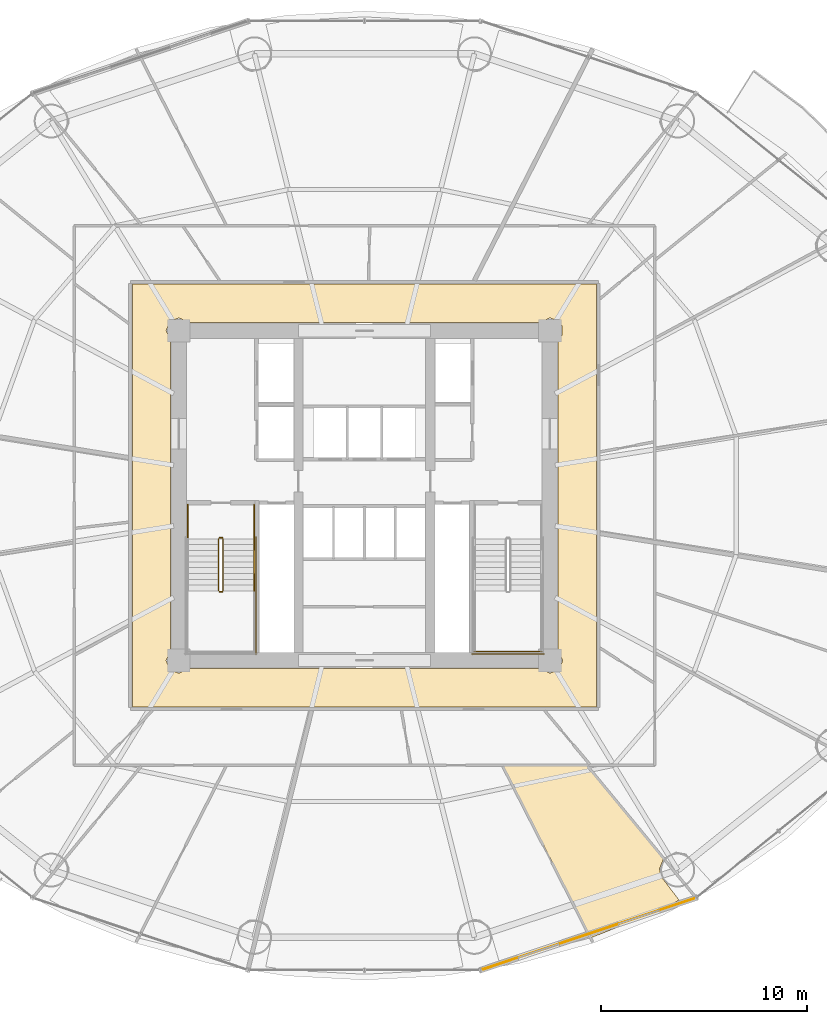
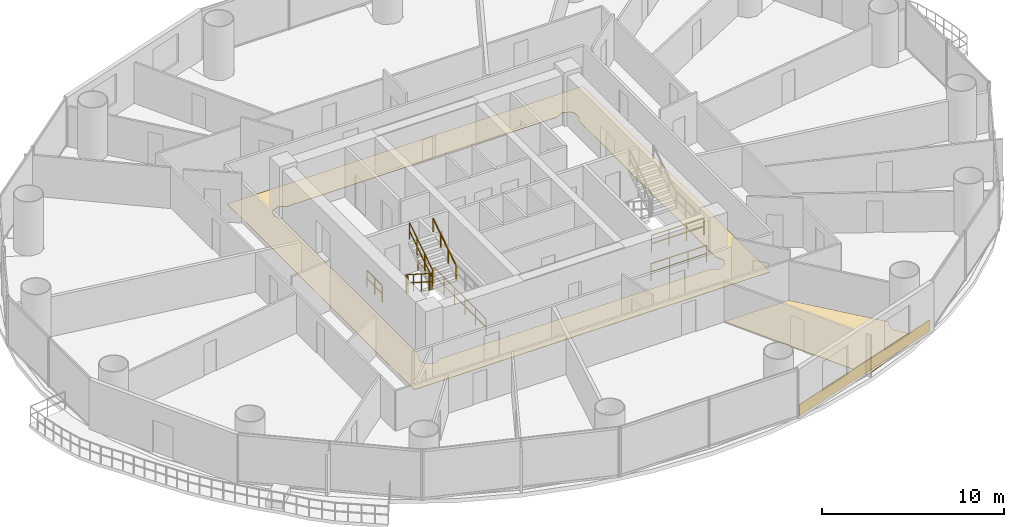
# One storey, part 28 of 30: 10 railings, 3 coverings.
"""IFC4 building model written with IfcOpenShell, lengths in metres."""

from ifc_helpers import new_model, si_unit, direction, frame, origin, origin_2d, place, context, subcontext, project, spatial, polyline, rectangle, outline, extrude, source, transform, mapped, material, layer, layer_set, type_object, element, save


model = new_model("IFC4")

# Units and contexts
model_context = context("Model", 3, precision=1e-05, world=origin(), true_north=direction((-0.2419218956, 0.970295726276)))
body_context = subcontext(model_context, "Body", "Model", "MODEL_VIEW")
ifc_project = project(units=[si_unit("LENGTHUNIT", "METRE"), si_unit("AREAUNIT", "SQUARE_METRE"), si_unit("VOLUMEUNIT", "CUBIC_METRE"), si_unit("PLANEANGLEUNIT", "RADIAN"), si_unit("MASSUNIT", "GRAM", prefix="KILO")], contexts=[model_context])

# Site, building, storey
site_placement = place(None, origin())
site = spatial("IfcSite", under=ifc_project, at=site_placement, CompositionType="ELEMENT")
building_placement = place(site_placement, origin())
building = spatial("IfcBuilding", under=site, at=building_placement, Name="Cobrevalo Terracotta Tower", CompositionType="ELEMENT")
storey_placement = place(building_placement, frame((0.0, 0.0, 27.60009765625)))
storey = spatial("IfcBuildingStorey", under=building, at=storey_placement, Name="L06", CompositionType="ELEMENT", Elevation=27.60009765625)

# Coverings
ifc_material_1 = material(Name="Engineered Brazilian hardwood flooring", Category="wood")
ifc_layer_1 = layer(ifc_material_1, 0.028076171875)
ifc_layer_set_1 = layer_set([ifc_layer_1], Name="Engineered Brazilian hardwood flooring")
covering_type_1 = type_object("IfcCoveringType", Name="Engineered Hardwood Suite Flooring 28", PredefinedType="FLOORING", material=ifc_layer_set_1)
covering_1_placement = place(storey_placement, origin())
element("IfcCovering", 1, at=covering_1_placement, inside=storey, type_object=covering_type_1, Name="Flat L06D Master Bedroom floor finish", PredefinedType="FLOORING", context=body_context, shape_type="SweptSolid", body=[
    extrude(outline(polyline([(48.9873046875, 5.3486328125), (44.72119140625, 13.695068359375), (48.780029296875, 13.695068359375), (52.5048828125, 9.177490234375), (52.318115234375, 8.71044921875), (52.35498046875, 8.369140625), (53.26318359375, 7.178955078125), (52.361572265625, 6.691650390625), (48.9873046875, 5.3486328125)])), origin(), (0.0, 0.0, 1.0), 0.02978515625),
])
ifc_material_2 = material(Name="Honed terracotta and granite tile", Category="masonry")
ifc_layer_2 = layer(ifc_material_2, 0.034912109375)
ifc_layer_set_2 = layer_set([ifc_layer_2], Name="Honed terracotta and granite tile")
covering_type_2 = type_object("IfcCoveringType", Name="Honed Terracotta & Granite Interior Flooring 35", PredefinedType="FLOORING", material=ifc_layer_set_2)
covering_2_placement = place(storey_placement, origin())
element("IfcCovering", 2, at=covering_2_placement, inside=storey, type_object=covering_type_2, Name="L06 Residential Floor Corridor floor finish", PredefinedType="FLOORING", context=body_context, shape_type="SweptSolid", body=[
    extrude(outline(polyline([(49.2548828125, 37.054931640625), (49.2548828125, 16.544921875), (26.7451171875, 16.544921875), (26.7451171875, 37.054931640625), (49.2548828125, 37.054931640625)]), holes=[polyline([(47.39501953125, 34.33203125), (47.5732421875, 34.5625), (47.5732421875, 35.037353515625), (47.438720703125, 35.23876953125), (47.0, 35.42041015625), (46.5322265625, 35.195068359375), (29.4677734375, 35.195068359375), (29.0, 35.42041015625), (28.561279296875, 35.23876953125), (28.379638671875, 34.800048828125), (28.60498046875, 34.33203125), (28.60498046875, 19.267822265625), (28.379638671875, 18.800048828125), (28.561279296875, 18.361328125), (29.0, 18.1796875), (29.4677734375, 18.405029296875), (46.5322265625, 18.405029296875), (47.0, 18.1796875), (47.438720703125, 18.361328125), (47.620361328125, 18.800048828125), (47.39501953125, 19.267822265625), (47.39501953125, 34.33203125)])]), origin(), (0.0, 0.0, 1.0), 0.02978515625),
])

# Railings
ifc_material_3 = material(Name="Brushed stainless steel", Category="steel")
railing_type_1 = type_object("IfcRailingType", Name="Stainless Steel Stair Handrail 900", PredefinedType="HANDRAIL", material=ifc_material_3)
railing_1_placement = place(storey_placement, frame((32.64501953125, 22.179931640625, 1.97998046875)))
element("IfcRailing", 3, at=railing_1_placement, inside=storey, type_object=railing_type_1, Name="L06 ST-1 stair handrail 2", PredefinedType="HANDRAIL", context=body_context, shape_type="SweptSolid", body=[
    extrude(rectangle(XDim=0.048095703125, YDim=0.048095703125, at=origin_2d()), frame((0.0, 0.0, 0.8759765625), z_axis=(0.0, 0.841199657755, 0.540724639528), x_axis=(-1.0, 0.0, 0.0)), (0.0, 0.0, 1.0), 2.995849609375),
    extrude(rectangle(XDim=0.0419921875, YDim=0.0419921875, at=origin_2d()), origin(), (0.0, 0.0, 1.0), 0.851806640625),
    extrude(rectangle(XDim=0.0419921875, YDim=0.0419921875, at=origin_2d()), frame((0.0, 0.840087890625, 0.5400390625)), (0.0, 0.0, 1.0), 0.851806640625),
    extrude(rectangle(XDim=0.0419921875, YDim=0.0419921875, at=origin_2d()), frame((0.0, 1.679931640625, 1.079833984375)), (0.0, 0.0, 1.0), 0.851806640625),
    extrude(rectangle(XDim=0.0419921875, YDim=0.0419921875, at=origin_2d()), frame((0.0, 2.52001953125, 1.619873046875)), (0.0, 0.0, 1.0), 0.851806640625),
])
ifc_material_4 = material(Name="Painted galvanized steel", Category="steel")
railing_type_2 = type_object("IfcRailingType", Name="Stair Well Guard Balustrade 1150", PredefinedType="GUARDRAIL", material=ifc_material_4)
railing_2_placement = place(storey_placement, frame((30.925048828125, 24.699951171875, 0.179931640625)))
element("IfcRailing", 4, at=railing_2_placement, inside=storey, type_object=railing_type_2, Name="L06 ST-1 stair guard 1", PredefinedType="GUARDRAIL", context=body_context, shape_type="SweptSolid", body=[
    extrude(rectangle(XDim=0.048095703125, YDim=0.048095703125, at=origin_2d()), frame((0.0, 0.0, 1.1259765625), z_axis=(0.0, -0.841199657755, 0.540724639528), x_axis=(1.0, 0.0, 0.0)), (0.0, 0.0, 1.0), 2.995849609375),
    extrude(rectangle(XDim=0.048095703125, YDim=0.048095703125, at=origin_2d()), frame((0.0, 0.0, 0.574951171875), z_axis=(0.0, -0.841199657755, 0.540724639528), x_axis=(1.0, 0.0, 0.0)), (0.0, 0.0, 1.0), 2.995849609375),
    extrude(rectangle(XDim=0.0419921875, YDim=0.0419921875, at=origin_2d()), origin(), (0.0, 0.0, 1.0), 1.101806640625),
    extrude(rectangle(XDim=0.0419921875, YDim=0.0419921875, at=origin_2d()), frame((0.0, -0.840087890625, 0.5400390625)), (0.0, 0.0, 1.0), 1.101806640625),
    extrude(rectangle(XDim=0.0419921875, YDim=0.0419921875, at=origin_2d()), frame((0.0, -1.679931640625, 1.079833984375)), (0.0, 0.0, 1.0), 1.101806640625),
    extrude(rectangle(XDim=0.0419921875, YDim=0.0419921875, at=origin_2d()), frame((0.0, -2.52001953125, 1.619873046875)), (0.0, 0.0, 1.0), 1.101806640625),
])
railing_3_placement = place(storey_placement, frame((30.97509765625, 22.1298828125, 1.7998046875)))
element("IfcRailing", 5, at=railing_3_placement, inside=storey, type_object=railing_type_2, Name="L06 ST-1 stair guard 2", PredefinedType="GUARDRAIL", context=body_context, shape_type="SweptSolid", body=[
    extrude(rectangle(XDim=0.048095703125, YDim=0.048095703125, at=origin_2d()), frame((0.0, 0.0, 1.1259765625), z_axis=(1.0, 0.0, 0.0), x_axis=(0.0, 1.0, 0.0)), (0.0, 0.0, 1.0), 0.119873046875),
    extrude(rectangle(XDim=0.048095703125, YDim=0.048095703125, at=origin_2d()), frame((0.0, 0.0, 0.574951171875), z_axis=(1.0, 0.0, 0.0), x_axis=(0.0, 1.0, 0.0)), (0.0, 0.0, 1.0), 0.119873046875),
    extrude(rectangle(XDim=0.0419921875, YDim=0.0419921875, at=origin_2d()), origin(), (0.0, 0.0, 1.0), 1.101806640625),
    extrude(rectangle(XDim=0.0419921875, YDim=0.0419921875, at=origin_2d()), frame((0.119873046875, 0.0, 0.0)), (0.0, 0.0, 1.0), 1.101806640625),
])
railing_4_placement = place(storey_placement, frame((31.14501953125, 22.179931640625, 1.97998046875)))
element("IfcRailing", 6, at=railing_4_placement, inside=storey, type_object=railing_type_2, Name="L06 ST-1 stair guard 6", PredefinedType="GUARDRAIL", context=body_context, shape_type="SweptSolid", body=[
    extrude(rectangle(XDim=0.048095703125, YDim=0.048095703125, at=origin_2d()), frame((0.0, 0.0, 1.1259765625), z_axis=(0.0, 0.841199657755, 0.540724639528), x_axis=(-1.0, 0.0, 0.0)), (0.0, 0.0, 1.0), 2.995849609375),
    extrude(rectangle(XDim=0.048095703125, YDim=0.048095703125, at=origin_2d()), frame((0.0, 0.0, 0.574951171875), z_axis=(0.0, 0.841199657755, 0.540724639528), x_axis=(-1.0, 0.0, 0.0)), (0.0, 0.0, 1.0), 2.995849609375),
    extrude(rectangle(XDim=0.0419921875, YDim=0.0419921875, at=origin_2d()), origin(), (0.0, 0.0, 1.0), 1.101806640625),
    extrude(rectangle(XDim=0.0419921875, YDim=0.0419921875, at=origin_2d()), frame((0.0, 0.840087890625, 0.5400390625)), (0.0, 0.0, 1.0), 1.101806640625),
    extrude(rectangle(XDim=0.0419921875, YDim=0.0419921875, at=origin_2d()), frame((0.0, 1.679931640625, 1.079833984375)), (0.0, 0.0, 1.0), 1.101806640625),
    extrude(rectangle(XDim=0.0419921875, YDim=0.0419921875, at=origin_2d()), frame((0.0, 2.52001953125, 1.619873046875)), (0.0, 0.0, 1.0), 1.101806640625),
])
railing_5_placement = place(storey_placement, frame((30.97509765625, 24.75, 0.0)))
element("IfcRailing", 7, at=railing_5_placement, inside=storey, type_object=railing_type_2, Name="L06 ST-1 stair guard 7", PredefinedType="GUARDRAIL", context=body_context, shape_type="SweptSolid", body=[
    extrude(rectangle(XDim=0.048095703125, YDim=0.048095703125, at=origin_2d()), frame((0.0, 0.0, 1.1259765625), z_axis=(1.0, 0.0, 0.0), x_axis=(0.0, 1.0, 0.0)), (0.0, 0.0, 1.0), 0.119873046875),
    extrude(rectangle(XDim=0.048095703125, YDim=0.048095703125, at=origin_2d()), frame((0.0, 0.0, 0.574951171875), z_axis=(1.0, 0.0, 0.0), x_axis=(0.0, 1.0, 0.0)), (0.0, 0.0, 1.0), 0.119873046875),
    extrude(rectangle(XDim=0.0419921875, YDim=0.0419921875, at=origin_2d()), origin(), (0.0, 0.0, 1.0), 1.101806640625),
    extrude(rectangle(XDim=0.0419921875, YDim=0.0419921875, at=origin_2d()), frame((0.119873046875, 0.0, 0.0)), (0.0, 0.0, 1.0), 1.101806640625),
])
for number, where, name in (
    (8, (29.425048828125, 26.35009765625, 0.0), "L06 ST-1 stair guard 8"),
    (9, (32.64501953125, 26.35009765625, 0.0), "L06 ST-1 stair guard 9"),
):
    element("IfcRailing", number, at=place(storey_placement, frame(where)), inside=storey, type_object=railing_type_2, Name=name, PredefinedType="GUARDRAIL", context=body_context, shape_type="SweptSolid", body=[
        extrude(rectangle(XDim=0.048095703125, YDim=0.048095703125, at=origin_2d()), frame((0.0, 0.0, 1.1259765625), z_axis=(0.0, -1.0, 0.0), x_axis=(1.0, 0.0, 0.0)), (0.0, 0.0, 1.0), 1.650146484375),
        extrude(rectangle(XDim=0.048095703125, YDim=0.048095703125, at=origin_2d()), frame((0.0, 0.0, 0.574951171875), z_axis=(0.0, -1.0, 0.0), x_axis=(1.0, 0.0, 0.0)), (0.0, 0.0, 1.0), 1.650146484375),
        extrude(rectangle(XDim=0.0419921875, YDim=0.0419921875, at=origin_2d()), origin(), (0.0, 0.0, 1.0), 1.101806640625),
        extrude(rectangle(XDim=0.0419921875, YDim=0.0419921875, at=origin_2d()), frame((0.0, -0.8251953125, 0.0)), (0.0, 0.0, 1.0), 1.101806640625),
        extrude(rectangle(XDim=0.0419921875, YDim=0.0419921875, at=origin_2d()), frame((0.0, -1.650146484375, 0.0)), (0.0, 0.0, 1.0), 1.101806640625),
    ])
railing_6_placement = place(storey_placement, frame((32.7451171875, 24.800048828125, 0.0)))
element("IfcRailing", 10, at=railing_6_placement, inside=storey, type_object=railing_type_2, Name="L06 ST-1 stair guard 11", PredefinedType="GUARDRAIL", context=body_context, shape_type="SweptSolid", body=[
    extrude(rectangle(XDim=0.048095703125, YDim=0.048095703125, at=origin_2d()), frame((0.0, 0.0, 1.1259765625), z_axis=(0.0, -1.0, 0.0), x_axis=(1.0, 0.0, 0.0)), (0.0, 0.0, 1.0), 5.72509765625),
    extrude(rectangle(XDim=0.048095703125, YDim=0.048095703125, at=origin_2d()), frame((0.0, 0.0, 0.574951171875), z_axis=(0.0, -1.0, 0.0), x_axis=(1.0, 0.0, 0.0)), (0.0, 0.0, 1.0), 5.72509765625),
    extrude(rectangle(XDim=0.0419921875, YDim=0.0419921875, at=origin_2d()), origin(), (0.0, 0.0, 1.0), 1.101806640625),
    extrude(rectangle(XDim=0.0419921875, YDim=0.0419921875, at=origin_2d()), frame((0.0, -1.14501953125, 0.0)), (0.0, 0.0, 1.0), 1.101806640625),
    extrude(rectangle(XDim=0.0419921875, YDim=0.0419921875, at=origin_2d()), frame((0.0, -2.2900390625, 0.0)), (0.0, 0.0, 1.0), 1.101806640625),
    extrude(rectangle(XDim=0.0419921875, YDim=0.0419921875, at=origin_2d()), frame((0.0, -3.43505859375, 0.0)), (0.0, 0.0, 1.0), 1.101806640625),
    extrude(rectangle(XDim=0.0419921875, YDim=0.0419921875, at=origin_2d()), frame((0.0, -4.580078125, 0.0)), (0.0, 0.0, 1.0), 1.101806640625),
    extrude(rectangle(XDim=0.0419921875, YDim=0.0419921875, at=origin_2d()), frame((0.0, -5.72509765625, 0.0)), (0.0, 0.0, 1.0), 1.101806640625),
])
railing_7_placement = place(storey_placement, frame((43.304931640625, 19.22509765625, 1.7998046875)))
element("IfcRailing", 11, at=railing_7_placement, inside=storey, type_object=railing_type_2, Name="L06 ST-2 stair guard 5", PredefinedType="GUARDRAIL", context=body_context, shape_type="SweptSolid", body=[
    extrude(rectangle(XDim=0.048095703125, YDim=0.048095703125, at=origin_2d()), frame((0.0, 0.0, 1.1259765625), z_axis=(1.0, 0.0, 0.0), x_axis=(0.0, 1.0, 0.0)), (0.0, 0.0, 1.0), 3.320068359375),
    extrude(rectangle(XDim=0.048095703125, YDim=0.048095703125, at=origin_2d()), frame((0.0, 0.0, 0.574951171875), z_axis=(1.0, 0.0, 0.0), x_axis=(0.0, 1.0, 0.0)), (0.0, 0.0, 1.0), 3.320068359375),
    extrude(rectangle(XDim=0.0419921875, YDim=0.0419921875, at=origin_2d()), origin(), (0.0, 0.0, 1.0), 1.101806640625),
    extrude(rectangle(XDim=0.0419921875, YDim=0.0419921875, at=origin_2d()), frame((1.106689453125, 0.0, 0.0)), (0.0, 0.0, 1.0), 1.101806640625),
    extrude(rectangle(XDim=0.0419921875, YDim=0.0419921875, at=origin_2d()), frame((2.21337890625, 0.0, 0.0)), (0.0, 0.0, 1.0), 1.101806640625),
    extrude(rectangle(XDim=0.0419921875, YDim=0.0419921875, at=origin_2d()), frame((3.320068359375, 0.0, 0.0)), (0.0, 0.0, 1.0), 1.101806640625),
])
railing_8_placement = place(storey_placement, frame((43.205078125, 19.125, 0.0)))
element("IfcRailing", 12, at=railing_8_placement, inside=storey, type_object=railing_type_2, Name="L06 ST-2 stair guard 12", PredefinedType="GUARDRAIL", context=body_context, shape_type="SweptSolid", body=[
    extrude(rectangle(XDim=0.048095703125, YDim=0.048095703125, at=origin_2d()), frame((0.0, 0.0, 1.1259765625), z_axis=(1.0, 0.0, 0.0), x_axis=(0.0, 1.0, 0.0)), (0.0, 0.0, 1.0), 3.52001953125),
    extrude(rectangle(XDim=0.048095703125, YDim=0.048095703125, at=origin_2d()), frame((0.0, 0.0, 0.574951171875), z_axis=(1.0, 0.0, 0.0), x_axis=(0.0, 1.0, 0.0)), (0.0, 0.0, 1.0), 3.52001953125),
    extrude(rectangle(XDim=0.0419921875, YDim=0.0419921875, at=origin_2d()), origin(), (0.0, 0.0, 1.0), 1.101806640625),
    extrude(rectangle(XDim=0.0419921875, YDim=0.0419921875, at=origin_2d()), frame((1.17333984375, 0.0, 0.0)), (0.0, 0.0, 1.0), 1.101806640625),
    extrude(rectangle(XDim=0.0419921875, YDim=0.0419921875, at=origin_2d()), frame((2.3466796875, 0.0, 0.0)), (0.0, 0.0, 1.0), 1.101806640625),
    extrude(rectangle(XDim=0.0419921875, YDim=0.0419921875, at=origin_2d()), frame((3.52001953125, 0.0, 0.0)), (0.0, 0.0, 1.0), 1.101806640625),
])

# Covering
ifc_material_5 = material(Name="Glazed terracotta facade cladding tile", Category="masonry")
ifc_layer_3 = layer(ifc_material_5, 0.044921875)
ifc_layer_set_3 = layer_set([ifc_layer_3], Name="Glazed terracotta facade cladding tile")
covering_type_3 = type_object("IfcCoveringType", Name="Architectural terracotta rainscreen spandrel cladding 45 mm", PredefinedType="CLADDING", material=ifc_layer_set_3)
shared_shape = source(origin(), body_context, "Body", "SweptSolid", [
    extrude(rectangle(XDim=10.8154296875, YDim=0.044921875, at=origin_2d()), origin(), (0.0, 0.0, 1.0), 0.760009765625),
])
covering_3_placement = place(storey_placement, frame((48.873291015625, 5.533203125, 0.0400390625), z_axis=(0.0, 0.0, 1.0), x_axis=(0.948044172593, 0.318138722592, 0.0)))
element("IfcCovering", 13, at=covering_3_placement, inside=storey, type_object=covering_type_3, Name="L06 terracotta spandrel cladding S13", PredefinedType="CLADDING", context=body_context, shape_type="MappedRepresentation", body=[
    mapped(shared_shape, transform((0.0, 0.0, 0.0), scale=1.0)),
])

save(model, "model.ifc")
